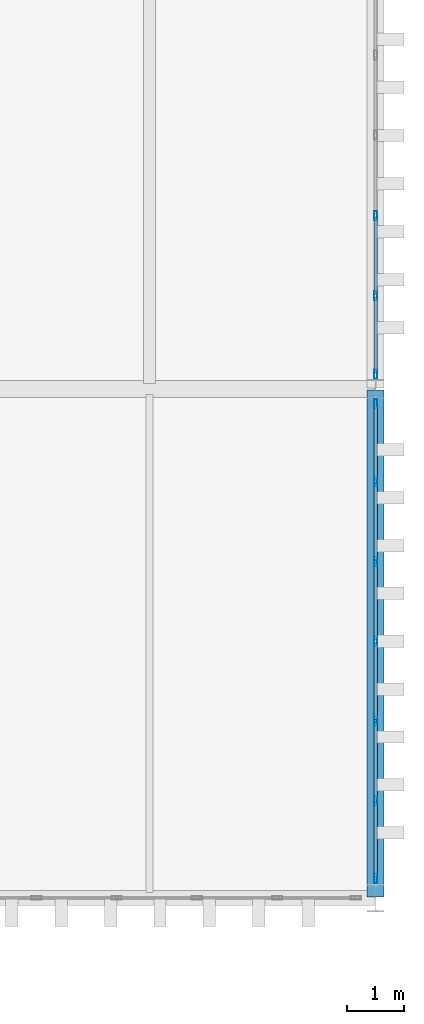
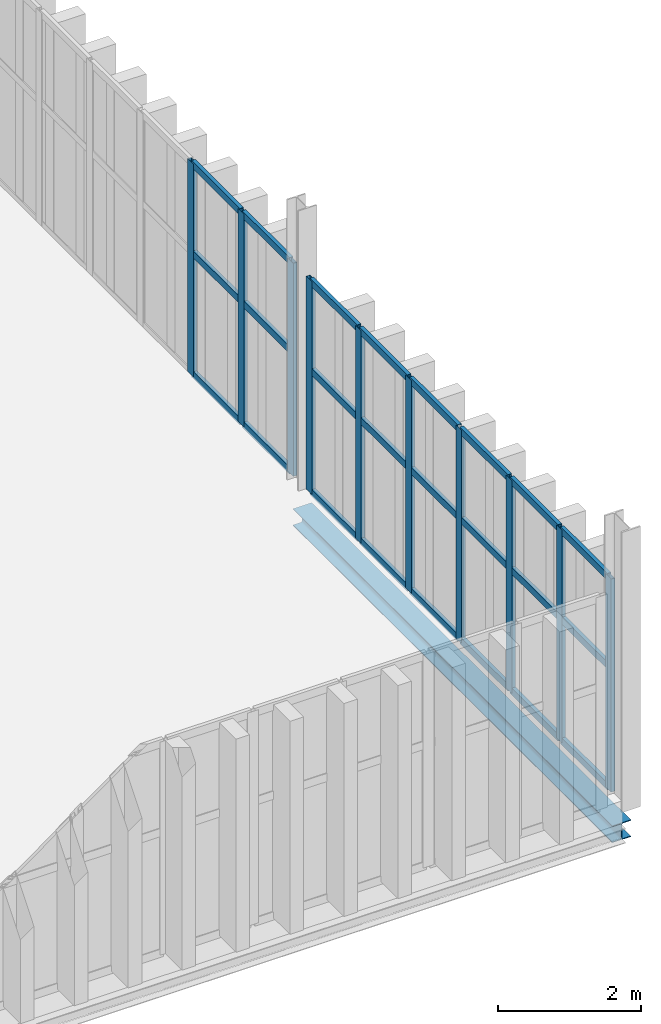
# One storey, part 124 of 196: 34 members, 1 beam, 2 elements without a shape of their own.
"""IFC4 building model written with IfcOpenShell, lengths in metres."""

from ifc_helpers import new_model, si_unit, direction, frame, origin, origin_2d, place, context, subcontext, project, spatial, hollow_rectangle, i_section, extrude, material, layer, layer_set, material_profile, profile_set, type_object, element, aggregate, save


model = new_model("IFC4")

# Units and contexts
model_context = context("Model", 3, precision=1e-05, world=origin(), true_north=direction((0.0, 1.0)))
body_context = subcontext(model_context, "Body", "Model", "MODEL_VIEW")
ifc_project = project(units=[si_unit("LENGTHUNIT", "METRE"), si_unit("AREAUNIT", "SQUARE_METRE"), si_unit("VOLUMEUNIT", "CUBIC_METRE"), si_unit("PLANEANGLEUNIT", "RADIAN"), si_unit("MASSUNIT", "GRAM", prefix="KILO")], contexts=[model_context])

# Site, building, storey
site_placement = place(None, origin())
site = spatial("IfcSite", under=ifc_project, at=site_placement, CompositionType="ELEMENT")
building_placement = place(site_placement, origin())
building = spatial("IfcBuilding", under=site, at=building_placement, Name="Barlavento Convention Centre", CompositionType="ELEMENT")
storey_placement = place(building_placement, frame((0.0, 0.0, 18.0)))
storey = spatial("IfcBuildingStorey", under=building, at=storey_placement, Name="L03", CompositionType="ELEMENT", Elevation=18.0)

# Curtain wall, members
ifc_material_1 = material(Name="Powder-coated aluminium and Low-E glass", Category="aluminium")
ifc_layer = layer(ifc_material_1, 0.179931640625)
ifc_layer_set = layer_set([ifc_layer], Name="ARC-CW-CONF-L03")
curtain_wall_type = type_object("IfcCurtainWallType", Name="ARC-CW-CONF-L03", PredefinedType="NOTDEFINED", material=ifc_layer_set)
curtain_wall_1_placement = place(storey_placement, origin())
curtain_wall_1 = element("IfcCurtainWall", 1, at=curtain_wall_1_placement, inside=storey, type_object=curtain_wall_type, Name="L03 unitised curtain wall CW08", PredefinedType="NOTDEFINED")
ifc_material_2 = material(Name="Powder-coated aluminium", Category="aluminium")
ifc_material_profile_1 = material_profile(ifc_material_2, hollow_rectangle(XDim=0.06005859375, YDim=0.159912109375, WallThickness=0.00390625, at=origin_2d()), Name="AL-MULL 60x160x4")
ifc_profile_set_1 = profile_set([ifc_material_profile_1], Name="Powder-coated aluminium")
member_type_1 = type_object("IfcMemberType", Name="ARC-CWM-60X160", PredefinedType="MULLION", material=ifc_profile_set_1)
member_1_placement = place(storey_placement, frame((192.0, 0.340087890625, 0.0), z_axis=(0.0, 0.0, 1.0), x_axis=(-1.0, 0.0, 0.0)))
member_1 = element("IfcMember", 2, at=member_1_placement, type_object=member_type_1, Name="CW08 mullion 1", PredefinedType="MULLION", context=body_context, shape_type="SweptSolid", body=[
    extrude(hollow_rectangle(XDim=0.06005859375, YDim=0.159912109375, WallThickness=0.00390625, at=origin_2d()), origin(), (0.0, 0.0, 1.0), 3.64990234375),
])
member_2_placement = place(storey_placement, frame((192.0, 1.719970703125, 0.0), z_axis=(0.0, 0.0, 1.0), x_axis=(-1.0, 0.0, 0.0)))
member_2 = element("IfcMember", 3, at=member_2_placement, type_object=member_type_1, Name="CW08 mullion 2", PredefinedType="MULLION", context=body_context, shape_type="SweptSolid", body=[
    extrude(hollow_rectangle(XDim=0.06005859375, YDim=0.159912109375, WallThickness=0.00390625, at=origin_2d()), origin(), (0.0, 0.0, 1.0), 3.64990234375),
])
member_3_placement = place(storey_placement, frame((192.0, 3.1298828125, 0.0), z_axis=(0.0, 0.0, 1.0), x_axis=(-1.0, 0.0, 0.0)))
member_3 = element("IfcMember", 4, at=member_3_placement, type_object=member_type_1, Name="CW08 mullion 3", PredefinedType="MULLION", context=body_context, shape_type="SweptSolid", body=[
    extrude(hollow_rectangle(XDim=0.06005859375, YDim=0.159912109375, WallThickness=0.00390625, at=origin_2d()), origin(), (0.0, 0.0, 1.0), 3.64990234375),
])
member_4_placement = place(storey_placement, frame((192.0, 4.5400390625, 0.0), z_axis=(0.0, 0.0, 1.0), x_axis=(-1.0, 0.0, 0.0)))
member_4 = element("IfcMember", 5, at=member_4_placement, type_object=member_type_1, Name="CW08 mullion 4", PredefinedType="MULLION", context=body_context, shape_type="SweptSolid", body=[
    extrude(hollow_rectangle(XDim=0.06005859375, YDim=0.159912109375, WallThickness=0.00390625, at=origin_2d()), origin(), (0.0, 0.0, 1.0), 3.64990234375),
])
member_5_placement = place(storey_placement, frame((192.0, 5.949951171875, 0.0), z_axis=(0.0, 0.0, 1.0), x_axis=(-1.0, 0.0, 0.0)))
member_5 = element("IfcMember", 6, at=member_5_placement, type_object=member_type_1, Name="CW08 mullion 5", PredefinedType="MULLION", context=body_context, shape_type="SweptSolid", body=[
    extrude(hollow_rectangle(XDim=0.06005859375, YDim=0.159912109375, WallThickness=0.00390625, at=origin_2d()), origin(), (0.0, 0.0, 1.0), 3.64990234375),
])
member_6_placement = place(storey_placement, frame((192.0, 7.360107421875, 0.0), z_axis=(0.0, 0.0, 1.0), x_axis=(-1.0, 0.0, 0.0)))
member_6 = element("IfcMember", 7, at=member_6_placement, type_object=member_type_1, Name="CW08 mullion 6", PredefinedType="MULLION", context=body_context, shape_type="SweptSolid", body=[
    extrude(hollow_rectangle(XDim=0.06005859375, YDim=0.159912109375, WallThickness=0.00390625, at=origin_2d()), origin(), (0.0, 0.0, 1.0), 3.64990234375),
])
member_7_placement = place(storey_placement, frame((192.0, 8.739990234375, 0.0), z_axis=(0.0, 0.0, 1.0), x_axis=(-1.0, 0.0, 0.0)))
member_7 = element("IfcMember", 8, at=member_7_placement, type_object=member_type_1, Name="CW08 mullion 7", PredefinedType="MULLION", context=body_context, shape_type="SweptSolid", body=[
    extrude(hollow_rectangle(XDim=0.06005859375, YDim=0.159912109375, WallThickness=0.00390625, at=origin_2d()), origin(), (0.0, 0.0, 1.0), 3.64990234375),
])

curtain_wall_2_placement = place(storey_placement, origin())
curtain_wall_2 = element("IfcCurtainWall", 9, at=curtain_wall_2_placement, inside=storey, type_object=curtain_wall_type, Name="L03 unitised curtain wall CW08", PredefinedType="NOTDEFINED")
member_8_placement = place(storey_placement, frame((192.0, 9.260009765625, 0.0), z_axis=(0.0, 0.0, 1.0), x_axis=(-1.0, 0.0, 0.0)))
member_8 = element("IfcMember", 10, at=member_8_placement, type_object=member_type_1, Name="CW08 mullion 1", PredefinedType="MULLION", context=body_context, shape_type="SweptSolid", body=[
    extrude(hollow_rectangle(XDim=0.06005859375, YDim=0.159912109375, WallThickness=0.00390625, at=origin_2d()), origin(), (0.0, 0.0, 1.0), 3.64990234375),
])
member_9_placement = place(storey_placement, frame((192.0, 10.6484375, 0.0), z_axis=(0.0, 0.0, 1.0), x_axis=(-1.0, 0.0, 0.0)))
member_9 = element("IfcMember", 11, at=member_9_placement, type_object=member_type_1, Name="CW08 mullion 2", PredefinedType="MULLION", context=body_context, shape_type="SweptSolid", body=[
    extrude(hollow_rectangle(XDim=0.06005859375, YDim=0.159912109375, WallThickness=0.00390625, at=origin_2d()), origin(), (0.0, 0.0, 1.0), 3.64990234375),
])
member_10_placement = place(storey_placement, frame((192.0, 12.066650390625, 0.0), z_axis=(0.0, 0.0, 1.0), x_axis=(-1.0, 0.0, 0.0)))
member_10 = element("IfcMember", 12, at=member_10_placement, type_object=member_type_1, Name="CW08 mullion 3", PredefinedType="MULLION", context=body_context, shape_type="SweptSolid", body=[
    extrude(hollow_rectangle(XDim=0.06005859375, YDim=0.159912109375, WallThickness=0.00390625, at=origin_2d()), origin(), (0.0, 0.0, 1.0), 3.64990234375),
])

# Member
ifc_material_profile_2 = material_profile(ifc_material_2, hollow_rectangle(XDim=0.06005859375, YDim=0.1201171875, WallThickness=0.00390625, at=origin_2d()), Name="AL-TRAN 60x120x4")
ifc_profile_set_2 = profile_set([ifc_material_profile_2], Name="Powder-coated aluminium")
member_type_2 = type_object("IfcMemberType", Name="ARC-CWT-60X120", PredefinedType="USERDEFINED", material=ifc_profile_set_2)
member_11_placement = place(storey_placement, frame((192.0, 0.3701171875, 0.030029296875), z_axis=(0.0, 1.0, 0.0), x_axis=(-1.0, 0.0, 0.0)))
member_11 = element("IfcMember", 13, at=member_11_placement, type_object=member_type_2, Name="CW08 transom 1.1", ObjectType="TRANSOM", PredefinedType="USERDEFINED", context=body_context, shape_type="SweptSolid", body=[
    extrude(hollow_rectangle(XDim=0.06005859375, YDim=0.1201171875, WallThickness=0.00390625, at=origin_2d()), origin(), (0.0, 0.0, 1.0), 1.31982421875),
])

member_12_placement = place(storey_placement, frame((192.0, 0.3701171875, 2.10009765625), z_axis=(0.0, 1.0, 0.0), x_axis=(-1.0, 0.0, 0.0)))
member_12 = element("IfcMember", 14, at=member_12_placement, type_object=member_type_2, Name="CW08 transom 1.2", ObjectType="TRANSOM", PredefinedType="USERDEFINED", context=body_context, shape_type="SweptSolid", body=[
    extrude(hollow_rectangle(XDim=0.06005859375, YDim=0.1201171875, WallThickness=0.00390625, at=origin_2d()), origin(), (0.0, 0.0, 1.0), 1.31982421875),
])

member_13_placement = place(storey_placement, frame((192.0, 0.3701171875, 3.6201171875), z_axis=(0.0, 1.0, 0.0), x_axis=(-1.0, 0.0, 0.0)))
member_13 = element("IfcMember", 15, at=member_13_placement, type_object=member_type_2, Name="CW08 transom 1.3", ObjectType="TRANSOM", PredefinedType="USERDEFINED", context=body_context, shape_type="SweptSolid", body=[
    extrude(hollow_rectangle(XDim=0.06005859375, YDim=0.1201171875, WallThickness=0.00390625, at=origin_2d()), origin(), (0.0, 0.0, 1.0), 1.31982421875),
])

member_14_placement = place(storey_placement, frame((192.0, 1.75, 0.030029296875), z_axis=(0.0, 1.0, 0.0), x_axis=(-1.0, 0.0, 0.0)))
member_14 = element("IfcMember", 16, at=member_14_placement, type_object=member_type_2, Name="CW08 transom 2.1", ObjectType="TRANSOM", PredefinedType="USERDEFINED", context=body_context, shape_type="SweptSolid", body=[
    extrude(hollow_rectangle(XDim=0.06005859375, YDim=0.1201171875, WallThickness=0.00390625, at=origin_2d()), origin(), (0.0, 0.0, 1.0), 1.35009765625),
])

member_15_placement = place(storey_placement, frame((192.0, 1.75, 2.10009765625), z_axis=(0.0, 1.0, 0.0), x_axis=(-1.0, 0.0, 0.0)))
member_15 = element("IfcMember", 17, at=member_15_placement, type_object=member_type_2, Name="CW08 transom 2.2", ObjectType="TRANSOM", PredefinedType="USERDEFINED", context=body_context, shape_type="SweptSolid", body=[
    extrude(hollow_rectangle(XDim=0.06005859375, YDim=0.1201171875, WallThickness=0.00390625, at=origin_2d()), origin(), (0.0, 0.0, 1.0), 1.35009765625),
])

member_16_placement = place(storey_placement, frame((192.0, 1.75, 3.6201171875), z_axis=(0.0, 1.0, 0.0), x_axis=(-1.0, 0.0, 0.0)))
member_16 = element("IfcMember", 18, at=member_16_placement, type_object=member_type_2, Name="CW08 transom 2.3", ObjectType="TRANSOM", PredefinedType="USERDEFINED", context=body_context, shape_type="SweptSolid", body=[
    extrude(hollow_rectangle(XDim=0.06005859375, YDim=0.1201171875, WallThickness=0.00390625, at=origin_2d()), origin(), (0.0, 0.0, 1.0), 1.35009765625),
])

member_17_placement = place(storey_placement, frame((192.0, 3.159912109375, 0.030029296875), z_axis=(0.0, 1.0, 0.0), x_axis=(-1.0, 0.0, 0.0)))
member_17 = element("IfcMember", 19, at=member_17_placement, type_object=member_type_2, Name="CW08 transom 3.1", ObjectType="TRANSOM", PredefinedType="USERDEFINED", context=body_context, shape_type="SweptSolid", body=[
    extrude(hollow_rectangle(XDim=0.06005859375, YDim=0.1201171875, WallThickness=0.00390625, at=origin_2d()), origin(), (0.0, 0.0, 1.0), 1.35009765625),
])

member_18_placement = place(storey_placement, frame((192.0, 3.159912109375, 2.10009765625), z_axis=(0.0, 1.0, 0.0), x_axis=(-1.0, 0.0, 0.0)))
member_18 = element("IfcMember", 20, at=member_18_placement, type_object=member_type_2, Name="CW08 transom 3.2", ObjectType="TRANSOM", PredefinedType="USERDEFINED", context=body_context, shape_type="SweptSolid", body=[
    extrude(hollow_rectangle(XDim=0.06005859375, YDim=0.1201171875, WallThickness=0.00390625, at=origin_2d()), origin(), (0.0, 0.0, 1.0), 1.35009765625),
])

member_19_placement = place(storey_placement, frame((192.0, 3.159912109375, 3.6201171875), z_axis=(0.0, 1.0, 0.0), x_axis=(-1.0, 0.0, 0.0)))
member_19 = element("IfcMember", 21, at=member_19_placement, type_object=member_type_2, Name="CW08 transom 3.3", ObjectType="TRANSOM", PredefinedType="USERDEFINED", context=body_context, shape_type="SweptSolid", body=[
    extrude(hollow_rectangle(XDim=0.06005859375, YDim=0.1201171875, WallThickness=0.00390625, at=origin_2d()), origin(), (0.0, 0.0, 1.0), 1.35009765625),
])

member_20_placement = place(storey_placement, frame((192.0, 4.570068359375, 0.030029296875), z_axis=(0.0, 1.0, 0.0), x_axis=(-1.0, 0.0, 0.0)))
member_20 = element("IfcMember", 22, at=member_20_placement, type_object=member_type_2, Name="CW08 transom 4.1", ObjectType="TRANSOM", PredefinedType="USERDEFINED", context=body_context, shape_type="SweptSolid", body=[
    extrude(hollow_rectangle(XDim=0.06005859375, YDim=0.1201171875, WallThickness=0.00390625, at=origin_2d()), origin(), (0.0, 0.0, 1.0), 1.349853515625),
])

member_21_placement = place(storey_placement, frame((192.0, 4.570068359375, 2.10009765625), z_axis=(0.0, 1.0, 0.0), x_axis=(-1.0, 0.0, 0.0)))
member_21 = element("IfcMember", 23, at=member_21_placement, type_object=member_type_2, Name="CW08 transom 4.2", ObjectType="TRANSOM", PredefinedType="USERDEFINED", context=body_context, shape_type="SweptSolid", body=[
    extrude(hollow_rectangle(XDim=0.06005859375, YDim=0.1201171875, WallThickness=0.00390625, at=origin_2d()), origin(), (0.0, 0.0, 1.0), 1.349853515625),
])

member_22_placement = place(storey_placement, frame((192.0, 4.570068359375, 3.6201171875), z_axis=(0.0, 1.0, 0.0), x_axis=(-1.0, 0.0, 0.0)))
member_22 = element("IfcMember", 24, at=member_22_placement, type_object=member_type_2, Name="CW08 transom 4.3", ObjectType="TRANSOM", PredefinedType="USERDEFINED", context=body_context, shape_type="SweptSolid", body=[
    extrude(hollow_rectangle(XDim=0.06005859375, YDim=0.1201171875, WallThickness=0.00390625, at=origin_2d()), origin(), (0.0, 0.0, 1.0), 1.349853515625),
])

member_23_placement = place(storey_placement, frame((192.0, 5.97998046875, 0.030029296875), z_axis=(0.0, 1.0, 0.0), x_axis=(-1.0, 0.0, 0.0)))
member_23 = element("IfcMember", 25, at=member_23_placement, type_object=member_type_2, Name="CW08 transom 5.1", ObjectType="TRANSOM", PredefinedType="USERDEFINED", context=body_context, shape_type="SweptSolid", body=[
    extrude(hollow_rectangle(XDim=0.06005859375, YDim=0.1201171875, WallThickness=0.00390625, at=origin_2d()), origin(), (0.0, 0.0, 1.0), 1.35009765625),
])

member_24_placement = place(storey_placement, frame((192.0, 5.97998046875, 2.10009765625), z_axis=(0.0, 1.0, 0.0), x_axis=(-1.0, 0.0, 0.0)))
member_24 = element("IfcMember", 26, at=member_24_placement, type_object=member_type_2, Name="CW08 transom 5.2", ObjectType="TRANSOM", PredefinedType="USERDEFINED", context=body_context, shape_type="SweptSolid", body=[
    extrude(hollow_rectangle(XDim=0.06005859375, YDim=0.1201171875, WallThickness=0.00390625, at=origin_2d()), origin(), (0.0, 0.0, 1.0), 1.35009765625),
])

member_25_placement = place(storey_placement, frame((192.0, 5.97998046875, 3.6201171875), z_axis=(0.0, 1.0, 0.0), x_axis=(-1.0, 0.0, 0.0)))
member_25 = element("IfcMember", 27, at=member_25_placement, type_object=member_type_2, Name="CW08 transom 5.3", ObjectType="TRANSOM", PredefinedType="USERDEFINED", context=body_context, shape_type="SweptSolid", body=[
    extrude(hollow_rectangle(XDim=0.06005859375, YDim=0.1201171875, WallThickness=0.00390625, at=origin_2d()), origin(), (0.0, 0.0, 1.0), 1.35009765625),
])

member_26_placement = place(storey_placement, frame((192.0, 7.389892578125, 0.030029296875), z_axis=(0.0, 1.0, 0.0), x_axis=(-1.0, 0.0, 0.0)))
member_26 = element("IfcMember", 28, at=member_26_placement, type_object=member_type_2, Name="CW08 transom 6.1", ObjectType="TRANSOM", PredefinedType="USERDEFINED", context=body_context, shape_type="SweptSolid", body=[
    extrude(hollow_rectangle(XDim=0.06005859375, YDim=0.1201171875, WallThickness=0.00390625, at=origin_2d()), origin(), (0.0, 0.0, 1.0), 1.320068359375),
])

member_27_placement = place(storey_placement, frame((192.0, 7.389892578125, 2.10009765625), z_axis=(0.0, 1.0, 0.0), x_axis=(-1.0, 0.0, 0.0)))
member_27 = element("IfcMember", 29, at=member_27_placement, type_object=member_type_2, Name="CW08 transom 6.2", ObjectType="TRANSOM", PredefinedType="USERDEFINED", context=body_context, shape_type="SweptSolid", body=[
    extrude(hollow_rectangle(XDim=0.06005859375, YDim=0.1201171875, WallThickness=0.00390625, at=origin_2d()), origin(), (0.0, 0.0, 1.0), 1.320068359375),
])

member_28_placement = place(storey_placement, frame((192.0, 7.389892578125, 3.6201171875), z_axis=(0.0, 1.0, 0.0), x_axis=(-1.0, 0.0, 0.0)))
member_28 = element("IfcMember", 30, at=member_28_placement, type_object=member_type_2, Name="CW08 transom 6.3", ObjectType="TRANSOM", PredefinedType="USERDEFINED", context=body_context, shape_type="SweptSolid", body=[
    extrude(hollow_rectangle(XDim=0.06005859375, YDim=0.1201171875, WallThickness=0.00390625, at=origin_2d()), origin(), (0.0, 0.0, 1.0), 1.320068359375),
])

aggregate(curtain_wall_1, [member_1, member_2, member_3, member_4, member_5, member_6, member_7, member_11, member_12, member_13, member_14, member_15, member_16, member_17, member_18, member_19, member_20, member_21, member_22, member_23, member_24, member_25, member_26, member_27, member_28])

member_29_placement = place(storey_placement, frame((192.0, 9.2900390625, 0.030029296875), z_axis=(0.0, 1.0, 0.0), x_axis=(-1.0, 0.0, 0.0)))
member_29 = element("IfcMember", 31, at=member_29_placement, type_object=member_type_2, Name="CW08 transom 1.1", ObjectType="TRANSOM", PredefinedType="USERDEFINED", context=body_context, shape_type="SweptSolid", body=[
    extrude(hollow_rectangle(XDim=0.06005859375, YDim=0.1201171875, WallThickness=0.00390625, at=origin_2d()), origin(), (0.0, 0.0, 1.0), 1.328369140625),
])

member_30_placement = place(storey_placement, frame((192.0, 9.2900390625, 2.10009765625), z_axis=(0.0, 1.0, 0.0), x_axis=(-1.0, 0.0, 0.0)))
member_30 = element("IfcMember", 32, at=member_30_placement, type_object=member_type_2, Name="CW08 transom 1.2", ObjectType="TRANSOM", PredefinedType="USERDEFINED", context=body_context, shape_type="SweptSolid", body=[
    extrude(hollow_rectangle(XDim=0.06005859375, YDim=0.1201171875, WallThickness=0.00390625, at=origin_2d()), origin(), (0.0, 0.0, 1.0), 1.328369140625),
])

member_31_placement = place(storey_placement, frame((192.0, 9.2900390625, 3.6201171875), z_axis=(0.0, 1.0, 0.0), x_axis=(-1.0, 0.0, 0.0)))
member_31 = element("IfcMember", 33, at=member_31_placement, type_object=member_type_2, Name="CW08 transom 1.3", ObjectType="TRANSOM", PredefinedType="USERDEFINED", context=body_context, shape_type="SweptSolid", body=[
    extrude(hollow_rectangle(XDim=0.06005859375, YDim=0.1201171875, WallThickness=0.00390625, at=origin_2d()), origin(), (0.0, 0.0, 1.0), 1.328369140625),
])

member_32_placement = place(storey_placement, frame((192.0, 10.67822265625, 0.030029296875), z_axis=(0.0, 1.0, 0.0), x_axis=(-1.0, 0.0, 0.0)))
member_32 = element("IfcMember", 34, at=member_32_placement, type_object=member_type_2, Name="CW08 transom 2.1", ObjectType="TRANSOM", PredefinedType="USERDEFINED", context=body_context, shape_type="SweptSolid", body=[
    extrude(hollow_rectangle(XDim=0.06005859375, YDim=0.1201171875, WallThickness=0.00390625, at=origin_2d()), origin(), (0.0, 0.0, 1.0), 1.3583984375),
])

member_33_placement = place(storey_placement, frame((192.0, 10.67822265625, 2.10009765625), z_axis=(0.0, 1.0, 0.0), x_axis=(-1.0, 0.0, 0.0)))
member_33 = element("IfcMember", 35, at=member_33_placement, type_object=member_type_2, Name="CW08 transom 2.2", ObjectType="TRANSOM", PredefinedType="USERDEFINED", context=body_context, shape_type="SweptSolid", body=[
    extrude(hollow_rectangle(XDim=0.06005859375, YDim=0.1201171875, WallThickness=0.00390625, at=origin_2d()), origin(), (0.0, 0.0, 1.0), 1.3583984375),
])

member_34_placement = place(storey_placement, frame((192.0, 10.67822265625, 3.6201171875), z_axis=(0.0, 1.0, 0.0), x_axis=(-1.0, 0.0, 0.0)))
member_34 = element("IfcMember", 36, at=member_34_placement, type_object=member_type_2, Name="CW08 transom 2.3", ObjectType="TRANSOM", PredefinedType="USERDEFINED", context=body_context, shape_type="SweptSolid", body=[
    extrude(hollow_rectangle(XDim=0.06005859375, YDim=0.1201171875, WallThickness=0.00390625, at=origin_2d()), origin(), (0.0, 0.0, 1.0), 1.3583984375),
])

aggregate(curtain_wall_2, [member_8, member_9, member_10, member_29, member_30, member_31, member_32, member_33, member_34])

# Beam
ifc_material_3 = material(Name="Steel S355", Category="steel")
ifc_material_profile_3 = material_profile(ifc_material_3, i_section(OverallWidth=0.300048828125, OverallDepth=0.2900390625, WebThickness=0.008544921875, FlangeThickness=0.013916015625, FilletRadius=0.027099609375, at=origin_2d()), Name="HEA 300")
ifc_profile_set_3 = profile_set([ifc_material_profile_3], Name="Steel S355")
beam_type = type_object("IfcBeamType", Name="STR-BM-SPN-HEA300", PredefinedType="SPANDREL", material=ifc_profile_set_3)
beam_placement = place(storey_placement, frame((192.0, 0.02001953125, -0.534912109375), z_axis=(0.0, 1.0, 0.0), x_axis=(-1.0, 0.0, 0.0)))
element("IfcBeam", 37, at=beam_placement, inside=storey, type_object=beam_type, Name="L03 grid girder SP02", PredefinedType="SPANDREL", context=body_context, shape_type="SweptSolid", body=[
    extrude(i_section(OverallWidth=0.300048828125, OverallDepth=0.2900390625, WebThickness=0.008544921875, FlangeThickness=0.013916015625, FilletRadius=0.027099609375, at=origin_2d()), origin(), (0.0, 0.0, 1.0), 8.9599609375),
])

save(model, "model.ifc")
